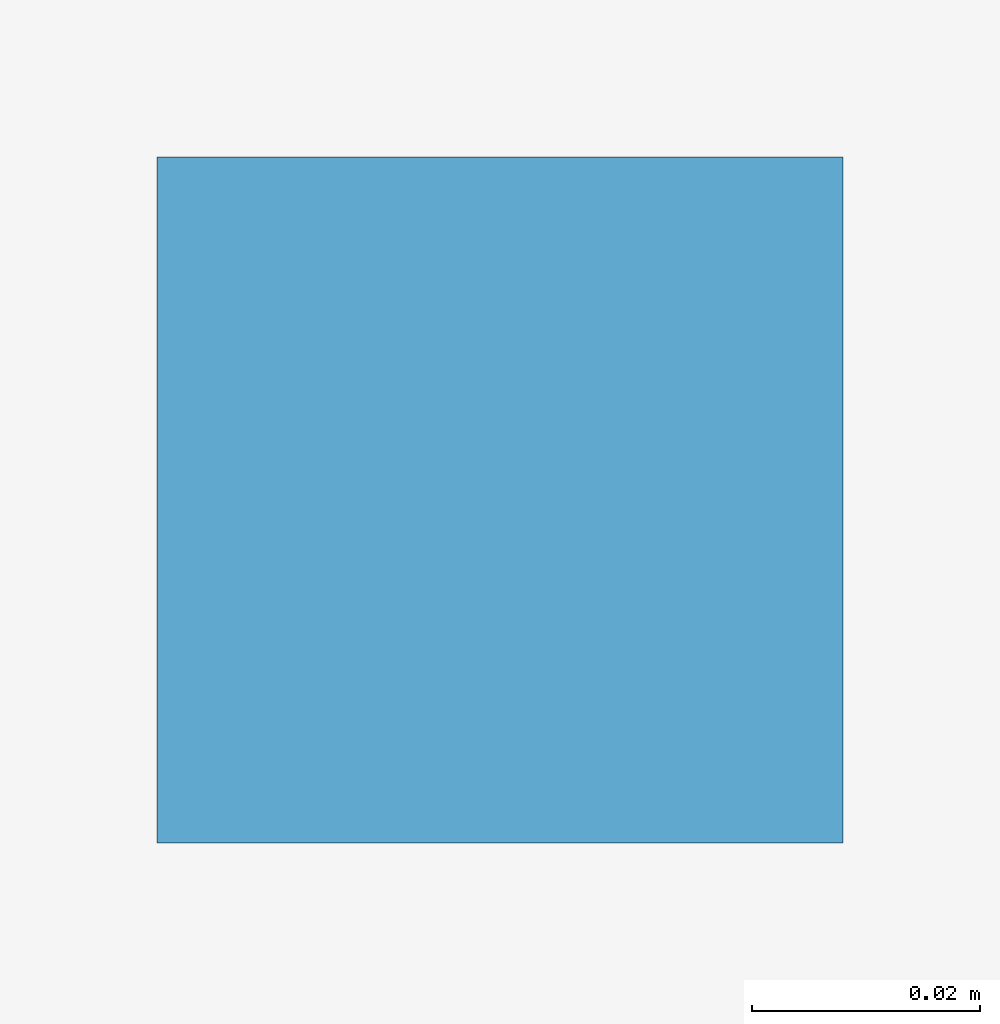
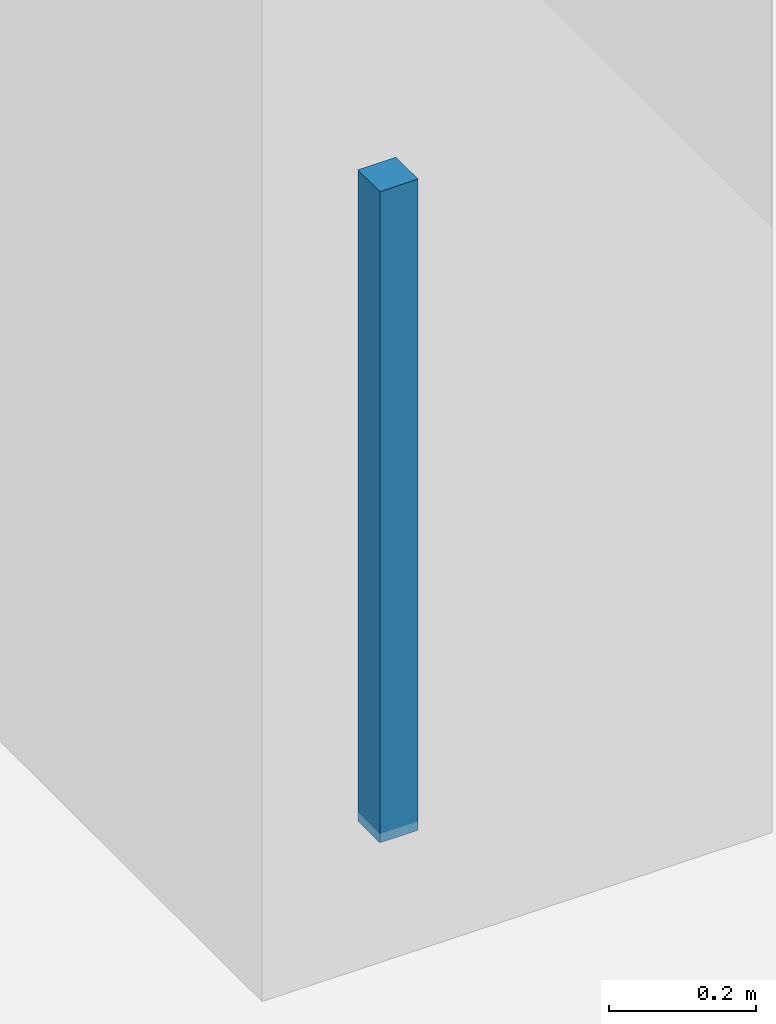
# One storey, part 100 of 107: 1 discrete accessory.
"""IFC4 building model written with IfcOpenShell, lengths in metres."""

from ifc_helpers import new_model, si_unit, direction, frame, origin, origin_2d, place, context, subcontext, project, spatial, rectangle, extrude, material, type_object, element, save


model = new_model("IFC4")

# Units and contexts
model_context = context("Model", 3, precision=1e-05, world=origin(), true_north=direction((0.0, 1.0)))
body_context = subcontext(model_context, "Body", "Model", "MODEL_VIEW")
ifc_project = project(units=[si_unit("LENGTHUNIT", "METRE"), si_unit("AREAUNIT", "SQUARE_METRE"), si_unit("VOLUMEUNIT", "CUBIC_METRE"), si_unit("PLANEANGLEUNIT", "RADIAN"), si_unit("MASSUNIT", "GRAM", prefix="KILO")], contexts=[model_context])

# Site, building, storey
site_placement = place(None, origin())
site = spatial("IfcSite", under=ifc_project, at=site_placement, CompositionType="ELEMENT")
building_placement = place(site_placement, origin())
building = spatial("IfcBuilding", under=site, at=building_placement, Name="Kangsadwip Square Police Headquarters", CompositionType="ELEMENT")
storey_placement = place(building_placement, frame((0.0, 0.0, 5.39990234375)))
storey = spatial("IfcBuildingStorey", under=building, at=storey_placement, Name="L01", CompositionType="ELEMENT", Elevation=5.39990234375)

# Discrete accessory
ifc_material = material(Name="Structural steel IS 2062 E350 (Grade 350, 350 MPa)", Category="steel")
discrete_accessory_type = type_object("IfcDiscreteAccessoryType", Name="VeilOutriggerBracket", PredefinedType="BRACKET", material=ifc_material)
discrete_accessory_placement = place(storey_placement, frame((149.14990234375, 68.39990234375, 2.81005859375), z_axis=(0.0, 0.0, 1.0), x_axis=(1.0, 0.0, 0.0)))
element("IfcDiscreteAccessory", 1, at=discrete_accessory_placement, inside=storey, type_object=discrete_accessory_type, Name="Ceiling Suspension Hanger L01-057", PredefinedType="BRACKET", context=body_context, shape_type="SweptSolid", body=[
    extrude(rectangle(XDim=0.06005859375, YDim=0.06005859375, at=origin_2d()), origin(), (0.0, 0.0, 1.0), 1.080078125),
])

save(model, "model.ifc")
